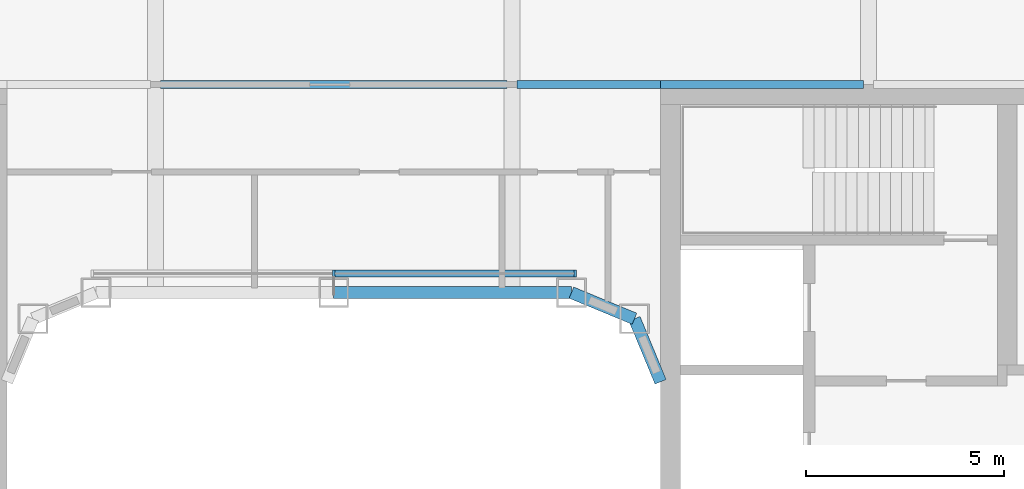
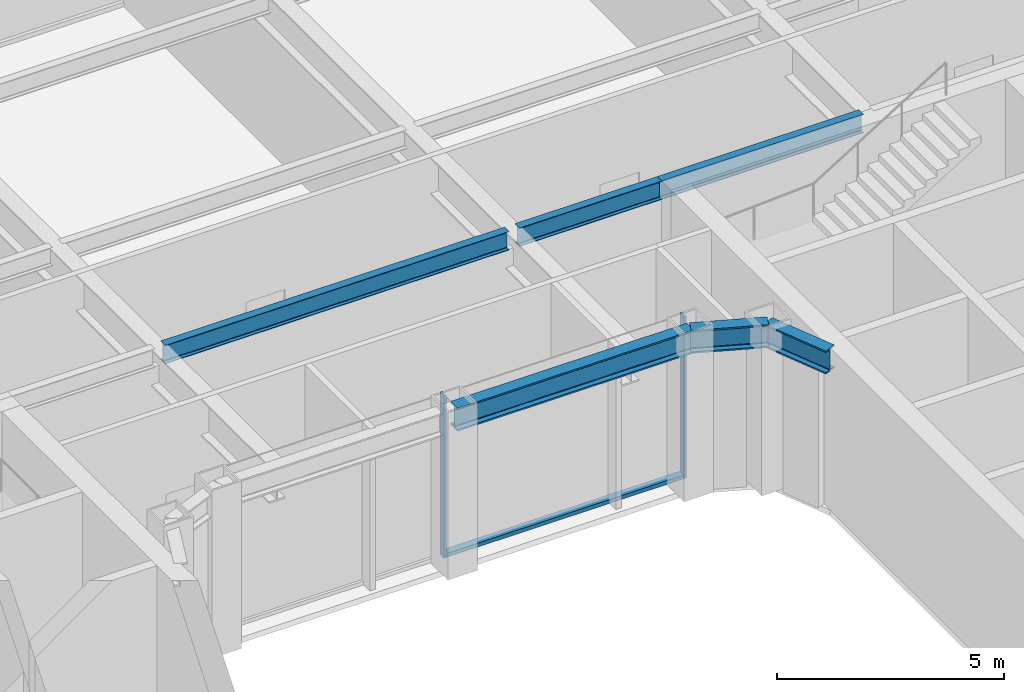
# One storey, part 8 of 28: 6 beams, 3 members, 1 element without a shape of its own.
"""IFC4 building model written with IfcOpenShell, lengths in metres."""

from ifc_helpers import new_model, si_unit, direction, frame, origin, origin_2d, place, context, subcontext, project, spatial, rectangle, i_section, extrude, material, layer, layer_set, material_profile, profile_set, type_object, element, aggregate, save


model = new_model("IFC4")

# Units and contexts
model_context = context("Model", 3, precision=1e-05, world=origin(), true_north=direction((0.0, 1.0)))
body_context = subcontext(model_context, "Body", "Model", "MODEL_VIEW")
ifc_project = project(units=[si_unit("LENGTHUNIT", "METRE"), si_unit("AREAUNIT", "SQUARE_METRE"), si_unit("VOLUMEUNIT", "CUBIC_METRE"), si_unit("PLANEANGLEUNIT", "RADIAN"), si_unit("MASSUNIT", "GRAM", prefix="KILO")], contexts=[model_context])

# Site, building, storey
site_placement = place(None, origin())
site = spatial("IfcSite", under=ifc_project, at=site_placement, CompositionType="ELEMENT")
building_placement = place(site_placement, origin())
building = spatial("IfcBuilding", under=site, at=building_placement, Name="Siwar Civic Tower", CompositionType="ELEMENT")
storey_placement = place(building_placement, frame((0.0, 0.0, 85.199951171875)))
storey = spatial("IfcBuildingStorey", under=building, at=storey_placement, Name="L18", CompositionType="ELEMENT", Elevation=85.199951171875)

# Curtain wall, members
ifc_material_1 = material(Name="Aluminium and glass", Category="aluminium")
ifc_layer = layer(ifc_material_1, 0.179931640625)
ifc_layer_set = layer_set([ifc_layer], Name="Aluminium and glass")
curtain_wall_type = type_object("IfcCurtainWallType", Name="ENV-CW-W", PredefinedType="NOTDEFINED", material=ifc_layer_set)
curtain_wall_placement = place(storey_placement, origin())
curtain_wall = element("IfcCurtainWall", 1, at=curtain_wall_placement, inside=storey, type_object=curtain_wall_type, Name="Curtain wall W WN", PredefinedType="NOTDEFINED")
ifc_material_2 = material(Name="Aluminium 6063-T6", Category="aluminium")
ifc_material_profile_1 = material_profile(ifc_material_2, rectangle(XDim=0.179931640625, YDim=0.06005859375, at=origin_2d()), Name="AL 180x60")
ifc_profile_set_1 = profile_set([ifc_material_profile_1], Name="Aluminium 6063-T6")
member_type_1 = type_object("IfcMemberType", Name="ENV-MULLION-W", PredefinedType="MULLION", material=ifc_profile_set_1)
member_1_placement = place(storey_placement, frame((6.096435546875, 8.735107421875, 0.0), z_axis=(0.0, 0.0, 1.0), x_axis=(0.0, -1.0, 0.0)))
member_1 = element("IfcMember", 2, at=member_1_placement, type_object=member_type_1, Name="Mullion W WN 1", PredefinedType="MULLION", context=body_context, shape_type="SweptSolid", body=[
    extrude(rectangle(XDim=0.179931640625, YDim=0.06005859375, at=origin_2d()), origin(), (0.0, 0.0, 1.0), 4.35009765625),
])
member_2_placement = place(storey_placement, frame((0.0, 8.735107421875, 0.0), z_axis=(0.0, 0.0, 1.0), x_axis=(0.0, -1.0, 0.0)))
member_2 = element("IfcMember", 3, at=member_2_placement, type_object=member_type_1, Name="Mullion W WN 2", PredefinedType="MULLION", context=body_context, shape_type="SweptSolid", body=[
    extrude(rectangle(XDim=0.179931640625, YDim=0.06005859375, at=origin_2d()), origin(), (0.0, 0.0, 1.0), 4.35009765625),
])
ifc_material_3 = material(Name="Aluminium 6063-T6", Category="aluminium")
ifc_material_profile_2 = material_profile(ifc_material_3, rectangle(XDim=0.179931640625, YDim=0.10009765625, at=origin_2d()), Name="AL 180x100")
ifc_profile_set_2 = profile_set([ifc_material_profile_2], Name="Aluminium 6063-T6")
member_type_2 = type_object("IfcMemberType", Name="ENV-TRANSOM-W", PredefinedType="USERDEFINED", material=ifc_profile_set_2)
member_3_placement = place(storey_placement, frame((6.06640625, 8.735107421875, 0.050048828125), z_axis=(-1.0, 0.0, 0.0), x_axis=(0.0, -1.0, 0.0)))
member_3 = element("IfcMember", 4, at=member_3_placement, type_object=member_type_2, Name="Transom W WN 1", ObjectType="TRANSOM", PredefinedType="USERDEFINED", context=body_context, shape_type="SweptSolid", body=[
    extrude(rectangle(XDim=0.179931640625, YDim=0.10009765625, at=origin_2d()), origin(), (0.0, 0.0, 1.0), 6.036376953125),
])
aggregate(curtain_wall, [member_1, member_2, member_3])

# Beams
ifc_material_4 = material(Name="Steel S355", Category="steel")
ifc_material_profile_3 = material_profile(ifc_material_4, i_section(OverallWidth=0.199951171875, OverallDepth=0.5, WebThickness=0.01025390625, FlangeThickness=0.01611328125, FilletRadius=0.02099609375, at=origin_2d()), Name="IPE500")
ifc_profile_set_3 = profile_set([ifc_material_profile_3], Name="Steel S355")
beam_type_1 = type_object("IfcBeamType", Name="STR-FB-IPE500", PredefinedType="JOIST", material=ifc_profile_set_3)
beam_1_placement = place(storey_placement, frame((-4.3701171875, 13.5, 4.10009765625), z_axis=(1.0, 0.0, 0.0), x_axis=(0.0, 1.0, 0.0)))
element("IfcBeam", 5, at=beam_1_placement, inside=storey, type_object=beam_type_1, Name="L18/bm/F041", PredefinedType="JOIST", context=body_context, shape_type="SweptSolid", body=[
    extrude(i_section(OverallWidth=0.199951171875, OverallDepth=0.5, WebThickness=0.01025390625, FlangeThickness=0.01611328125, FilletRadius=0.02099609375, at=origin_2d()), origin(), (0.0, 0.0, 1.0), 8.740234375),
])
beam_2_placement = place(storey_placement, frame((4.6298828125, 13.5, 4.10009765625), z_axis=(1.0, 0.0, 0.0), x_axis=(0.0, 1.0, 0.0)))
element("IfcBeam", 6, at=beam_2_placement, inside=storey, type_object=beam_type_1, Name="L18/bm/F042", PredefinedType="JOIST", context=body_context, shape_type="SweptSolid", body=[
    extrude(i_section(OverallWidth=0.199951171875, OverallDepth=0.5, WebThickness=0.01025390625, FlangeThickness=0.01611328125, FilletRadius=0.02099609375, at=origin_2d()), origin(), (0.0, 0.0, 1.0), 3.6201171875),
])
beam_3_placement = place(storey_placement, frame((8.25, 13.5, 4.10009765625), z_axis=(1.0, 0.0, 0.0), x_axis=(0.0, 1.0, 0.0)))
element("IfcBeam", 7, at=beam_3_placement, inside=storey, type_object=beam_type_1, Name="L18/bm/F043", PredefinedType="JOIST", context=body_context, shape_type="SweptSolid", body=[
    extrude(i_section(OverallWidth=0.199951171875, OverallDepth=0.5, WebThickness=0.01025390625, FlangeThickness=0.01611328125, FilletRadius=0.02099609375, at=origin_2d()), origin(), (0.0, 0.0, 1.0), 5.1201171875),
])
ifc_material_5 = material(Name="Steel S355", Category="steel")
ifc_material_profile_4 = material_profile(ifc_material_5, i_section(OverallWidth=0.304931640625, OverallDepth=0.6201171875, WebThickness=0.02099609375, FlangeThickness=0.0400390625, FilletRadius=0.027099609375, at=origin_2d()), Name="HEM600")
ifc_profile_set_4 = profile_set([ifc_material_profile_4], Name="Steel S355")
beam_type_2 = type_object("IfcBeamType", Name="STR-RB-HEM600", PredefinedType="BEAM", material=ifc_profile_set_4)
beam_4_placement = place(storey_placement, frame((0.0, 8.25, 4.0400390625), z_axis=(1.0, 0.0, 0.0), x_axis=(0.0, 1.0, 0.0)))
element("IfcBeam", 8, at=beam_4_placement, inside=storey, type_object=beam_type_2, Name="L18/bm/RN2", PredefinedType="BEAM", context=body_context, shape_type="SweptSolid", body=[
    extrude(i_section(OverallWidth=0.304931640625, OverallDepth=0.6201171875, WebThickness=0.02099609375, FlangeThickness=0.0400390625, FilletRadius=0.027099609375, at=origin_2d()), origin(), (0.0, 0.0, 1.0), 6.0),
])
for number, where, z_axis, x_axis, name in (
    (9, (6.0, 8.25, 4.0400390625), (0.923901072997, -0.382631424892, 0.0), (0.382631424892, 0.923901072997, 0.0), "L18/bm/RN3"),
    (10, (7.591064453125, 7.591064453125, 4.0400390625), (0.382631424892, -0.923901072997, 0.0), (0.923901072997, 0.382631424892, 0.0), "L18/bm/RNEE"),
):
    element("IfcBeam", number, at=place(storey_placement, frame(where, z_axis=z_axis, x_axis=x_axis)), inside=storey, type_object=beam_type_2, Name=name, PredefinedType="BEAM", context=body_context, shape_type="SweptSolid", body=[
        extrude(i_section(OverallWidth=0.304931640625, OverallDepth=0.6201171875, WebThickness=0.02099609375, FlangeThickness=0.0400390625, FilletRadius=0.027099609375, at=origin_2d()), origin(), (0.0, 0.0, 1.0), 1.72216796875),
    ])

save(model, "model.ifc")
